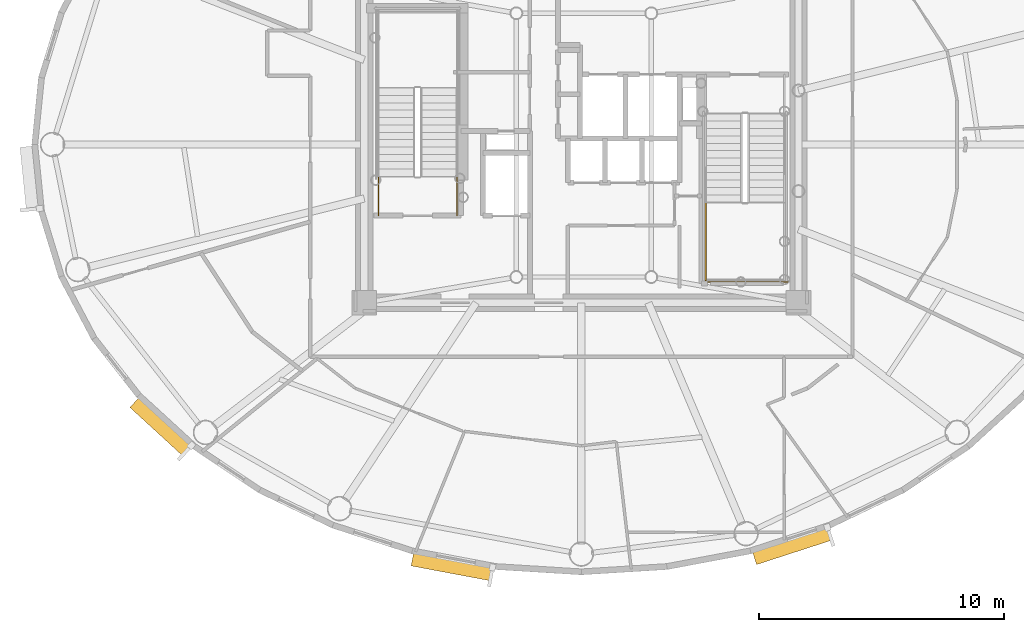
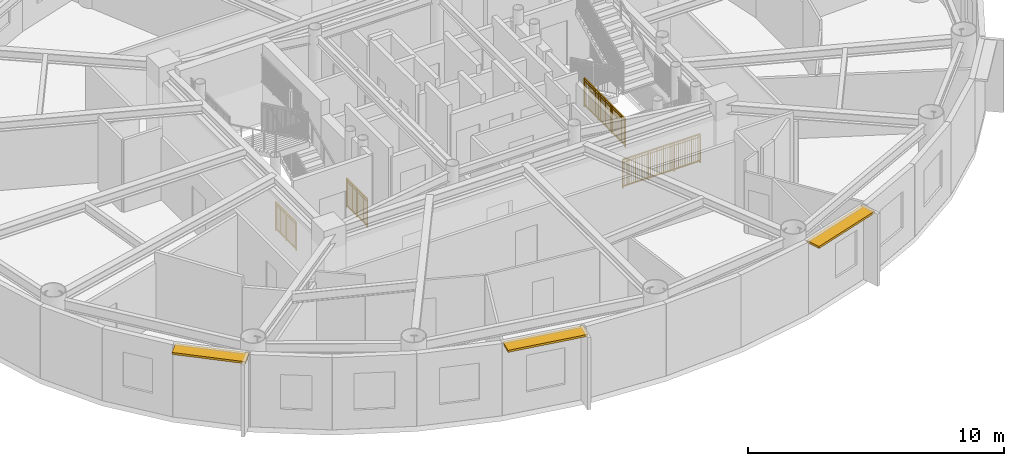
# One storey, part 12 of 17: 4 railings, 3 shading devices.
"""IFC4 building model written with IfcOpenShell, lengths in metres."""

from ifc_helpers import new_model, si_unit, direction, frame, origin, origin_2d, place, context, subcontext, project, spatial, rectangle, extrude, source, transform, mapped, material, layer, layer_set, type_object, element, save


model = new_model("IFC4")

# Units and contexts
model_context = context("Model", 3, precision=1e-05, world=origin(), true_north=direction((0.0, 1.0)))
body_context = subcontext(model_context, "Body", "Model", "MODEL_VIEW")
ifc_project = project(units=[si_unit("LENGTHUNIT", "METRE"), si_unit("AREAUNIT", "SQUARE_METRE"), si_unit("VOLUMEUNIT", "CUBIC_METRE"), si_unit("PLANEANGLEUNIT", "RADIAN"), si_unit("MASSUNIT", "GRAM", prefix="KILO")], contexts=[model_context])

# Site, building, storey
site_placement = place(None, origin())
site = spatial("IfcSite", under=ifc_project, at=site_placement, CompositionType="ELEMENT")
building_placement = place(site_placement, origin())
building = spatial("IfcBuilding", under=site, at=building_placement, Name="Linh Dai School and Residence Tower", CompositionType="ELEMENT")
storey_placement = place(building_placement, frame((0.0, 0.0, 314.25)))
storey = spatial("IfcBuildingStorey", under=building, at=storey_placement, Name="L78", CompositionType="ELEMENT", Elevation=314.25)

# Shading devices
ifc_material_1 = material(Name="Terracotta Ceramic Sunshade", Category="masonry")
ifc_layer = layer(ifc_material_1, 0.10009765625)
ifc_layer_set = layer_set([ifc_layer], Name="Terracotta Ceramic Sunshade")
shading_device_type = type_object("IfcShadingDeviceType", Name="SHD-TC-650", PredefinedType="USERDEFINED", material=ifc_layer_set)
shared_shape_1 = source(origin(), body_context, "Body", "SweptSolid", [
    extrude(rectangle(XDim=2.9541015625, YDim=0.64990234375, at=origin_2d()), origin(), (0.0, 0.0, 1.0), 0.10009765625),
])
shading_device_1_placement = place(storey_placement, frame((18.9111328125, 15.525390625, 3.329833984375), z_axis=(0.0, 0.0, 1.0), x_axis=(-0.737104227651, 0.675779074535, 0.0)))
element("IfcShadingDevice", 1, at=shading_device_1_placement, inside=storey, type_object=shading_device_type, Name="L78 Terracotta Horizontal Sunshade Band 25", ObjectType="SUNSHADE", PredefinedType="USERDEFINED", context=body_context, shape_type="MappedRepresentation", body=[
    mapped(shared_shape_1, transform((0.0, 0.0, 0.0), x_axis=(1.0, 0.0, 0.0), y_axis=(0.0, 1.0, 0.0), z_axis=(0.0, 0.0, 1.0), scale=1.0)),
])
shared_shape_2 = source(origin(), body_context, "Body", "SweptSolid", [
    extrude(rectangle(XDim=3.323486328125, YDim=0.64990234375, at=origin_2d()), origin(), (0.0, 0.0, 1.0), 0.10009765625),
])
shading_device_2_placement = place(storey_placement, frame((30.75732421875, 9.839599609375, 3.329833984375), z_axis=(0.0, 0.0, 1.0), x_axis=(-0.982785325002, 0.184751197452, 0.0)))
element("IfcShadingDevice", 2, at=shading_device_2_placement, inside=storey, type_object=shading_device_type, Name="L78 Terracotta Horizontal Sunshade Band 29", ObjectType="SUNSHADE", PredefinedType="USERDEFINED", context=body_context, shape_type="MappedRepresentation", body=[
    mapped(shared_shape_2, transform((0.0, 0.0, 0.0), x_axis=(1.0, 0.0, 0.0), y_axis=(0.0, 1.0, 0.0), z_axis=(0.0, 0.0, 1.0), scale=1.0)),
])
shared_shape_3 = source(origin(), body_context, "Body", "SweptSolid", [
    extrude(rectangle(XDim=3.26171875, YDim=0.64990234375, at=origin_2d()), origin(), (0.0, 0.0, 1.0), 0.10009765625),
])
shading_device_3_placement = place(storey_placement, frame((44.594970703125, 10.692626953125, 3.329833984375), z_axis=(0.0, 0.0, 1.0), x_axis=(-0.951218243545, -0.308518805176, 0.0)))
element("IfcShadingDevice", 3, at=shading_device_3_placement, inside=storey, type_object=shading_device_type, Name="L78 Terracotta Horizontal Sunshade Band 33", ObjectType="SUNSHADE", PredefinedType="USERDEFINED", context=body_context, shape_type="MappedRepresentation", body=[
    mapped(shared_shape_3, transform((0.0, 0.0, 0.0), x_axis=(1.0, 0.0, 0.0), y_axis=(0.0, 1.0, 0.0), z_axis=(0.0, 0.0, 1.0), scale=1.0)),
])

# Railings
ifc_material_2 = material(Name="Structural Steel S355JR", Category="steel")
railing_type = type_object("IfcRailingType", Name="RL-ST-GUARD-1400", PredefinedType="GUARDRAIL", material=ifc_material_2)
shared_shape_4 = source(origin(), body_context, "Body", "SweptSolid", [
    extrude(rectangle(XDim=0.048095703125, YDim=0.048095703125, at=origin_2d()), frame((0.0, 0.0, 1.3759765625), z_axis=(0.0, 1.0, 0.0), x_axis=(-1.0, 0.0, 0.0)), (0.0, 0.0, 1.0), 1.599853515625),
    extrude(rectangle(XDim=0.048095703125, YDim=0.048095703125, at=origin_2d()), frame((0.0, 0.0, 0.10009765625), z_axis=(0.0, 1.0, 0.0), x_axis=(-1.0, 0.0, 0.0)), (0.0, 0.0, 1.0), 1.599853515625),
    extrude(rectangle(XDim=0.030029296875, YDim=0.030029296875, at=origin_2d()), frame((0.0, 0.0, 1.239990234375), z_axis=(0.0, 1.0, 0.0), x_axis=(-1.0, 0.0, 0.0)), (0.0, 0.0, 1.0), 1.599853515625),
    extrude(rectangle(XDim=0.02001953125, YDim=0.02001953125, at=origin_2d()), frame((0.0, 0.093994140625, 0.10009765625)), (0.0, 0.0, 1.0), 1.251708984375),
    extrude(rectangle(XDim=0.02001953125, YDim=0.02001953125, at=origin_2d()), frame((0.0, 0.188232421875, 0.10009765625)), (0.0, 0.0, 1.0), 1.251708984375),
    extrude(rectangle(XDim=0.02001953125, YDim=0.02001953125, at=origin_2d()), frame((0.0, 0.2822265625, 0.10009765625)), (0.0, 0.0, 1.0), 1.251708984375),
    extrude(rectangle(XDim=0.02001953125, YDim=0.02001953125, at=origin_2d()), frame((0.0, 0.37646484375, 0.10009765625)), (0.0, 0.0, 1.0), 1.251708984375),
    extrude(rectangle(XDim=0.02001953125, YDim=0.02001953125, at=origin_2d()), frame((0.0, 0.470458984375, 0.10009765625)), (0.0, 0.0, 1.0), 1.251708984375),
    extrude(rectangle(XDim=0.02001953125, YDim=0.02001953125, at=origin_2d()), frame((0.0, 0.564697265625, 0.10009765625)), (0.0, 0.0, 1.0), 1.251708984375),
    extrude(rectangle(XDim=0.02001953125, YDim=0.02001953125, at=origin_2d()), frame((0.0, 0.65869140625, 0.10009765625)), (0.0, 0.0, 1.0), 1.251708984375),
    extrude(rectangle(XDim=0.02001953125, YDim=0.02001953125, at=origin_2d()), frame((0.0, 0.7529296875, 0.10009765625)), (0.0, 0.0, 1.0), 1.251708984375),
    extrude(rectangle(XDim=0.02001953125, YDim=0.02001953125, at=origin_2d()), frame((0.0, 0.846923828125, 0.10009765625)), (0.0, 0.0, 1.0), 1.251708984375),
    extrude(rectangle(XDim=0.02001953125, YDim=0.02001953125, at=origin_2d()), frame((0.0, 0.941162109375, 0.10009765625)), (0.0, 0.0, 1.0), 1.251708984375),
    extrude(rectangle(XDim=0.02001953125, YDim=0.02001953125, at=origin_2d()), frame((0.0, 1.03515625, 0.10009765625)), (0.0, 0.0, 1.0), 1.251708984375),
    extrude(rectangle(XDim=0.02001953125, YDim=0.02001953125, at=origin_2d()), frame((0.0, 1.12939453125, 0.10009765625)), (0.0, 0.0, 1.0), 1.251708984375),
    extrude(rectangle(XDim=0.02001953125, YDim=0.02001953125, at=origin_2d()), frame((0.0, 1.223388671875, 0.10009765625)), (0.0, 0.0, 1.0), 1.251708984375),
    extrude(rectangle(XDim=0.02001953125, YDim=0.02001953125, at=origin_2d()), frame((0.0, 1.317626953125, 0.10009765625)), (0.0, 0.0, 1.0), 1.251708984375),
    extrude(rectangle(XDim=0.02001953125, YDim=0.02001953125, at=origin_2d()), frame((0.0, 1.41162109375, 0.10009765625)), (0.0, 0.0, 1.0), 1.251708984375),
    extrude(rectangle(XDim=0.02001953125, YDim=0.02001953125, at=origin_2d()), frame((0.0, 1.505859375, 0.10009765625)), (0.0, 0.0, 1.0), 1.251708984375),
    extrude(rectangle(XDim=0.0419921875, YDim=0.0419921875, at=origin_2d()), origin(), (0.0, 0.0, 1.0), 1.3759765625),
    extrude(rectangle(XDim=0.0419921875, YDim=0.0419921875, at=origin_2d()), frame((0.0, 0.7998046875, 0.0)), (0.0, 0.0, 1.0), 1.3759765625),
    extrude(rectangle(XDim=0.0419921875, YDim=0.0419921875, at=origin_2d()), frame((0.0, 1.599853515625, 0.0)), (0.0, 0.0, 1.0), 1.3759765625),
])
for number, where, name in (
    (4, (30.929931640625, 24.10009765625, 0.0), "L78 ST1 stair guard 8"),
    (5, (27.72998046875, 24.10009765625, 0.0), "L78 ST1 stair guard 9"),
):
    element("IfcRailing", number, at=place(storey_placement, frame(where)), inside=storey, type_object=railing_type, Name=name, PredefinedType="GUARDRAIL", context=body_context, shape_type="MappedRepresentation", body=[
        mapped(shared_shape_4, transform((0.0, 0.0, 0.0), x_axis=(1.0, 0.0, 0.0), y_axis=(0.0, 1.0, 0.0), z_axis=(0.0, 0.0, 1.0), scale=1.0)),
    ])
shared_shape_5 = source(origin(), body_context, "Body", "SweptSolid", [
    extrude(rectangle(XDim=0.048095703125, YDim=0.048095703125, at=origin_2d()), frame((0.0, 0.0, 1.3759765625), z_axis=(1.0, 0.0, 0.0), x_axis=(0.0, 1.0, 0.0)), (0.0, 0.0, 1.0), 3.5),
    extrude(rectangle(XDim=0.048095703125, YDim=0.048095703125, at=origin_2d()), frame((0.0, 0.0, 0.10009765625), z_axis=(1.0, 0.0, 0.0), x_axis=(0.0, 1.0, 0.0)), (0.0, 0.0, 1.0), 3.5),
    extrude(rectangle(XDim=0.030029296875, YDim=0.030029296875, at=origin_2d()), frame((0.0, 0.0, 1.239990234375), z_axis=(1.0, 0.0, 0.0), x_axis=(0.0, 1.0, 0.0)), (0.0, 0.0, 1.0), 3.5),
    extrude(rectangle(XDim=0.02001953125, YDim=0.02001953125, at=origin_2d()), frame((0.09716796875, 0.0, 0.10009765625)), (0.0, 0.0, 1.0), 1.251708984375),
    extrude(rectangle(XDim=0.02001953125, YDim=0.02001953125, at=origin_2d()), frame((0.1943359375, 0.0, 0.10009765625)), (0.0, 0.0, 1.0), 1.251708984375),
    extrude(rectangle(XDim=0.02001953125, YDim=0.02001953125, at=origin_2d()), frame((0.291748046875, 0.0, 0.10009765625)), (0.0, 0.0, 1.0), 1.251708984375),
    extrude(rectangle(XDim=0.02001953125, YDim=0.02001953125, at=origin_2d()), frame((0.388916015625, 0.0, 0.10009765625)), (0.0, 0.0, 1.0), 1.251708984375),
    extrude(rectangle(XDim=0.02001953125, YDim=0.02001953125, at=origin_2d()), frame((0.486083984375, 0.0, 0.10009765625)), (0.0, 0.0, 1.0), 1.251708984375),
    extrude(rectangle(XDim=0.02001953125, YDim=0.02001953125, at=origin_2d()), frame((0.583251953125, 0.0, 0.10009765625)), (0.0, 0.0, 1.0), 1.251708984375),
    extrude(rectangle(XDim=0.02001953125, YDim=0.02001953125, at=origin_2d()), frame((0.6806640625, 0.0, 0.10009765625)), (0.0, 0.0, 1.0), 1.251708984375),
    extrude(rectangle(XDim=0.02001953125, YDim=0.02001953125, at=origin_2d()), frame((0.77783203125, 0.0, 0.10009765625)), (0.0, 0.0, 1.0), 1.251708984375),
    extrude(rectangle(XDim=0.02001953125, YDim=0.02001953125, at=origin_2d()), frame((0.875, 0.0, 0.10009765625)), (0.0, 0.0, 1.0), 1.251708984375),
    extrude(rectangle(XDim=0.02001953125, YDim=0.02001953125, at=origin_2d()), frame((0.97216796875, 0.0, 0.10009765625)), (0.0, 0.0, 1.0), 1.251708984375),
    extrude(rectangle(XDim=0.02001953125, YDim=0.02001953125, at=origin_2d()), frame((1.0693359375, 0.0, 0.10009765625)), (0.0, 0.0, 1.0), 1.251708984375),
    extrude(rectangle(XDim=0.02001953125, YDim=0.02001953125, at=origin_2d()), frame((1.263916015625, 0.0, 0.10009765625)), (0.0, 0.0, 1.0), 1.251708984375),
    extrude(rectangle(XDim=0.02001953125, YDim=0.02001953125, at=origin_2d()), frame((1.361083984375, 0.0, 0.10009765625)), (0.0, 0.0, 1.0), 1.251708984375),
    extrude(rectangle(XDim=0.02001953125, YDim=0.02001953125, at=origin_2d()), frame((1.458251953125, 0.0, 0.10009765625)), (0.0, 0.0, 1.0), 1.251708984375),
    extrude(rectangle(XDim=0.02001953125, YDim=0.02001953125, at=origin_2d()), frame((1.5556640625, 0.0, 0.10009765625)), (0.0, 0.0, 1.0), 1.251708984375),
    extrude(rectangle(XDim=0.02001953125, YDim=0.02001953125, at=origin_2d()), frame((1.65283203125, 0.0, 0.10009765625)), (0.0, 0.0, 1.0), 1.251708984375),
    extrude(rectangle(XDim=0.02001953125, YDim=0.02001953125, at=origin_2d()), frame((1.75, 0.0, 0.10009765625)), (0.0, 0.0, 1.0), 1.251708984375),
    extrude(rectangle(XDim=0.02001953125, YDim=0.02001953125, at=origin_2d()), frame((1.84716796875, 0.0, 0.10009765625)), (0.0, 0.0, 1.0), 1.251708984375),
    extrude(rectangle(XDim=0.02001953125, YDim=0.02001953125, at=origin_2d()), frame((1.9443359375, 0.0, 0.10009765625)), (0.0, 0.0, 1.0), 1.251708984375),
    extrude(rectangle(XDim=0.02001953125, YDim=0.02001953125, at=origin_2d()), frame((2.041748046875, 0.0, 0.10009765625)), (0.0, 0.0, 1.0), 1.251708984375),
    extrude(rectangle(XDim=0.02001953125, YDim=0.02001953125, at=origin_2d()), frame((2.138916015625, 0.0, 0.10009765625)), (0.0, 0.0, 1.0), 1.251708984375),
    extrude(rectangle(XDim=0.02001953125, YDim=0.02001953125, at=origin_2d()), frame((2.236083984375, 0.0, 0.10009765625)), (0.0, 0.0, 1.0), 1.251708984375),
    extrude(rectangle(XDim=0.02001953125, YDim=0.02001953125, at=origin_2d()), frame((2.4306640625, 0.0, 0.10009765625)), (0.0, 0.0, 1.0), 1.251708984375),
    extrude(rectangle(XDim=0.02001953125, YDim=0.02001953125, at=origin_2d()), frame((2.52783203125, 0.0, 0.10009765625)), (0.0, 0.0, 1.0), 1.251708984375),
    extrude(rectangle(XDim=0.02001953125, YDim=0.02001953125, at=origin_2d()), frame((2.625, 0.0, 0.10009765625)), (0.0, 0.0, 1.0), 1.251708984375),
    extrude(rectangle(XDim=0.02001953125, YDim=0.02001953125, at=origin_2d()), frame((2.72216796875, 0.0, 0.10009765625)), (0.0, 0.0, 1.0), 1.251708984375),
    extrude(rectangle(XDim=0.02001953125, YDim=0.02001953125, at=origin_2d()), frame((2.8193359375, 0.0, 0.10009765625)), (0.0, 0.0, 1.0), 1.251708984375),
    extrude(rectangle(XDim=0.02001953125, YDim=0.02001953125, at=origin_2d()), frame((2.916748046875, 0.0, 0.10009765625)), (0.0, 0.0, 1.0), 1.251708984375),
    extrude(rectangle(XDim=0.02001953125, YDim=0.02001953125, at=origin_2d()), frame((3.013916015625, 0.0, 0.10009765625)), (0.0, 0.0, 1.0), 1.251708984375),
    extrude(rectangle(XDim=0.02001953125, YDim=0.02001953125, at=origin_2d()), frame((3.111083984375, 0.0, 0.10009765625)), (0.0, 0.0, 1.0), 1.251708984375),
    extrude(rectangle(XDim=0.02001953125, YDim=0.02001953125, at=origin_2d()), frame((3.208251953125, 0.0, 0.10009765625)), (0.0, 0.0, 1.0), 1.251708984375),
    extrude(rectangle(XDim=0.02001953125, YDim=0.02001953125, at=origin_2d()), frame((3.3056640625, 0.0, 0.10009765625)), (0.0, 0.0, 1.0), 1.251708984375),
    extrude(rectangle(XDim=0.02001953125, YDim=0.02001953125, at=origin_2d()), frame((3.40283203125, 0.0, 0.10009765625)), (0.0, 0.0, 1.0), 1.251708984375),
    extrude(rectangle(XDim=0.0419921875, YDim=0.0419921875, at=origin_2d()), origin(), (0.0, 0.0, 1.0), 1.3759765625),
    extrude(rectangle(XDim=0.0419921875, YDim=0.0419921875, at=origin_2d()), frame((1.166748046875, 0.0, 0.0)), (0.0, 0.0, 1.0), 1.3759765625),
    extrude(rectangle(XDim=0.0419921875, YDim=0.0419921875, at=origin_2d()), frame((2.333251953125, 0.0, 0.0)), (0.0, 0.0, 1.0), 1.3759765625),
    extrude(rectangle(XDim=0.0419921875, YDim=0.0419921875, at=origin_2d()), frame((3.5, 0.0, 0.0)), (0.0, 0.0, 1.0), 1.3759765625),
])
railing_1_placement = place(storey_placement, frame((40.919921875, 21.39990234375, 0.0)))
element("IfcRailing", 6, at=railing_1_placement, inside=storey, type_object=railing_type, Name="L78 ST2 stair guard 12", PredefinedType="GUARDRAIL", context=body_context, shape_type="MappedRepresentation", body=[
    mapped(shared_shape_5, transform((0.0, 0.0, 0.0), x_axis=(1.0, 0.0, 0.0), y_axis=(0.0, 1.0, 0.0), z_axis=(0.0, 0.0, 1.0), scale=1.0)),
])
shared_shape_6 = source(origin(), body_context, "Body", "SweptSolid", [
    extrude(rectangle(XDim=0.048095703125, YDim=0.048095703125, at=origin_2d()), frame((0.0, 0.0, 1.3759765625), z_axis=(0.0, -1.0, 0.0), x_axis=(1.0, 0.0, 0.0)), (0.0, 0.0, 1.0), 3.199951171875),
    extrude(rectangle(XDim=0.048095703125, YDim=0.048095703125, at=origin_2d()), frame((0.0, 0.0, 0.10009765625), z_axis=(0.0, -1.0, 0.0), x_axis=(1.0, 0.0, 0.0)), (0.0, 0.0, 1.0), 3.199951171875),
    extrude(rectangle(XDim=0.030029296875, YDim=0.030029296875, at=origin_2d()), frame((0.0, 0.0, 1.239990234375), z_axis=(0.0, -1.0, 0.0), x_axis=(1.0, 0.0, 0.0)), (0.0, 0.0, 1.0), 3.199951171875),
    extrude(rectangle(XDim=0.02001953125, YDim=0.02001953125, at=origin_2d()), frame((0.0, -0.096923828125, 0.10009765625)), (0.0, 0.0, 1.0), 1.251708984375),
    extrude(rectangle(XDim=0.02001953125, YDim=0.02001953125, at=origin_2d()), frame((0.0, -0.19384765625, 0.10009765625)), (0.0, 0.0, 1.0), 1.251708984375),
    extrude(rectangle(XDim=0.02001953125, YDim=0.02001953125, at=origin_2d()), frame((0.0, -0.291015625, 0.10009765625)), (0.0, 0.0, 1.0), 1.251708984375),
    extrude(rectangle(XDim=0.02001953125, YDim=0.02001953125, at=origin_2d()), frame((0.0, -0.387939453125, 0.10009765625)), (0.0, 0.0, 1.0), 1.251708984375),
    extrude(rectangle(XDim=0.02001953125, YDim=0.02001953125, at=origin_2d()), frame((0.0, -0.48486328125, 0.10009765625)), (0.0, 0.0, 1.0), 1.251708984375),
    extrude(rectangle(XDim=0.02001953125, YDim=0.02001953125, at=origin_2d()), frame((0.0, -0.581787109375, 0.10009765625)), (0.0, 0.0, 1.0), 1.251708984375),
    extrude(rectangle(XDim=0.02001953125, YDim=0.02001953125, at=origin_2d()), frame((0.0, -0.6787109375, 0.10009765625)), (0.0, 0.0, 1.0), 1.251708984375),
    extrude(rectangle(XDim=0.02001953125, YDim=0.02001953125, at=origin_2d()), frame((0.0, -0.775634765625, 0.10009765625)), (0.0, 0.0, 1.0), 1.251708984375),
    extrude(rectangle(XDim=0.02001953125, YDim=0.02001953125, at=origin_2d()), frame((0.0, -0.872802734375, 0.10009765625)), (0.0, 0.0, 1.0), 1.251708984375),
    extrude(rectangle(XDim=0.02001953125, YDim=0.02001953125, at=origin_2d()), frame((0.0, -0.9697265625, 0.10009765625)), (0.0, 0.0, 1.0), 1.251708984375),
    extrude(rectangle(XDim=0.02001953125, YDim=0.02001953125, at=origin_2d()), frame((0.0, -1.16357421875, 0.10009765625)), (0.0, 0.0, 1.0), 1.251708984375),
    extrude(rectangle(XDim=0.02001953125, YDim=0.02001953125, at=origin_2d()), frame((0.0, -1.260498046875, 0.10009765625)), (0.0, 0.0, 1.0), 1.251708984375),
    extrude(rectangle(XDim=0.02001953125, YDim=0.02001953125, at=origin_2d()), frame((0.0, -1.357666015625, 0.10009765625)), (0.0, 0.0, 1.0), 1.251708984375),
    extrude(rectangle(XDim=0.02001953125, YDim=0.02001953125, at=origin_2d()), frame((0.0, -1.45458984375, 0.10009765625)), (0.0, 0.0, 1.0), 1.251708984375),
    extrude(rectangle(XDim=0.02001953125, YDim=0.02001953125, at=origin_2d()), frame((0.0, -1.551513671875, 0.10009765625)), (0.0, 0.0, 1.0), 1.251708984375),
    extrude(rectangle(XDim=0.02001953125, YDim=0.02001953125, at=origin_2d()), frame((0.0, -1.6484375, 0.10009765625)), (0.0, 0.0, 1.0), 1.251708984375),
    extrude(rectangle(XDim=0.02001953125, YDim=0.02001953125, at=origin_2d()), frame((0.0, -1.745361328125, 0.10009765625)), (0.0, 0.0, 1.0), 1.251708984375),
    extrude(rectangle(XDim=0.02001953125, YDim=0.02001953125, at=origin_2d()), frame((0.0, -1.84228515625, 0.10009765625)), (0.0, 0.0, 1.0), 1.251708984375),
    extrude(rectangle(XDim=0.02001953125, YDim=0.02001953125, at=origin_2d()), frame((0.0, -1.939453125, 0.10009765625)), (0.0, 0.0, 1.0), 1.251708984375),
    extrude(rectangle(XDim=0.02001953125, YDim=0.02001953125, at=origin_2d()), frame((0.0, -2.036376953125, 0.10009765625)), (0.0, 0.0, 1.0), 1.251708984375),
    extrude(rectangle(XDim=0.02001953125, YDim=0.02001953125, at=origin_2d()), frame((0.0, -2.230224609375, 0.10009765625)), (0.0, 0.0, 1.0), 1.251708984375),
    extrude(rectangle(XDim=0.02001953125, YDim=0.02001953125, at=origin_2d()), frame((0.0, -2.3271484375, 0.10009765625)), (0.0, 0.0, 1.0), 1.251708984375),
    extrude(rectangle(XDim=0.02001953125, YDim=0.02001953125, at=origin_2d()), frame((0.0, -2.42431640625, 0.10009765625)), (0.0, 0.0, 1.0), 1.251708984375),
    extrude(rectangle(XDim=0.02001953125, YDim=0.02001953125, at=origin_2d()), frame((0.0, -2.521240234375, 0.10009765625)), (0.0, 0.0, 1.0), 1.251708984375),
    extrude(rectangle(XDim=0.02001953125, YDim=0.02001953125, at=origin_2d()), frame((0.0, -2.6181640625, 0.10009765625)), (0.0, 0.0, 1.0), 1.251708984375),
    extrude(rectangle(XDim=0.02001953125, YDim=0.02001953125, at=origin_2d()), frame((0.0, -2.715087890625, 0.10009765625)), (0.0, 0.0, 1.0), 1.251708984375),
    extrude(rectangle(XDim=0.02001953125, YDim=0.02001953125, at=origin_2d()), frame((0.0, -2.81201171875, 0.10009765625)), (0.0, 0.0, 1.0), 1.251708984375),
    extrude(rectangle(XDim=0.02001953125, YDim=0.02001953125, at=origin_2d()), frame((0.0, -2.908935546875, 0.10009765625)), (0.0, 0.0, 1.0), 1.251708984375),
    extrude(rectangle(XDim=0.02001953125, YDim=0.02001953125, at=origin_2d()), frame((0.0, -3.006103515625, 0.10009765625)), (0.0, 0.0, 1.0), 1.251708984375),
    extrude(rectangle(XDim=0.02001953125, YDim=0.02001953125, at=origin_2d()), frame((0.0, -3.10302734375, 0.10009765625)), (0.0, 0.0, 1.0), 1.251708984375),
    extrude(rectangle(XDim=0.0419921875, YDim=0.0419921875, at=origin_2d()), origin(), (0.0, 0.0, 1.0), 1.3759765625),
    extrude(rectangle(XDim=0.0419921875, YDim=0.0419921875, at=origin_2d()), frame((0.0, -1.066650390625, 0.0)), (0.0, 0.0, 1.0), 1.3759765625),
    extrude(rectangle(XDim=0.0419921875, YDim=0.0419921875, at=origin_2d()), frame((0.0, -2.13330078125, 0.0)), (0.0, 0.0, 1.0), 1.3759765625),
    extrude(rectangle(XDim=0.0419921875, YDim=0.0419921875, at=origin_2d()), frame((0.0, -3.199951171875, 0.0)), (0.0, 0.0, 1.0), 1.3759765625),
])
railing_2_placement = place(storey_placement, frame((41.070068359375, 24.64990234375, 1.875)))
element("IfcRailing", 7, at=railing_2_placement, inside=storey, type_object=railing_type, Name="L78 ST2 stair guard 3", PredefinedType="GUARDRAIL", context=body_context, shape_type="MappedRepresentation", body=[
    mapped(shared_shape_6, transform((0.0, 0.0, 0.0), x_axis=(1.0, 0.0, 0.0), y_axis=(0.0, 1.0, 0.0), z_axis=(0.0, 0.0, 1.0), scale=1.0)),
])

save(model, "model.ifc")
